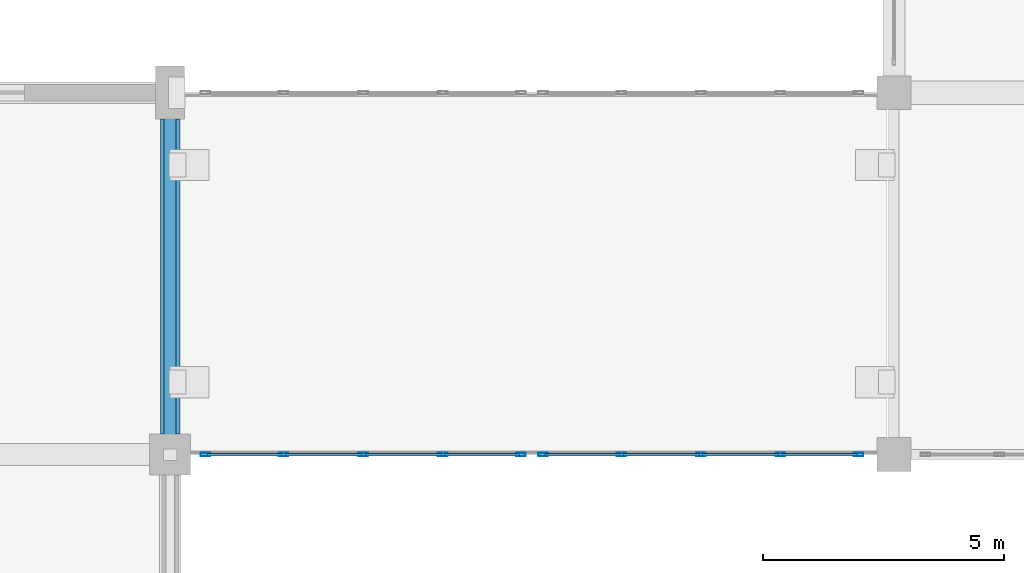
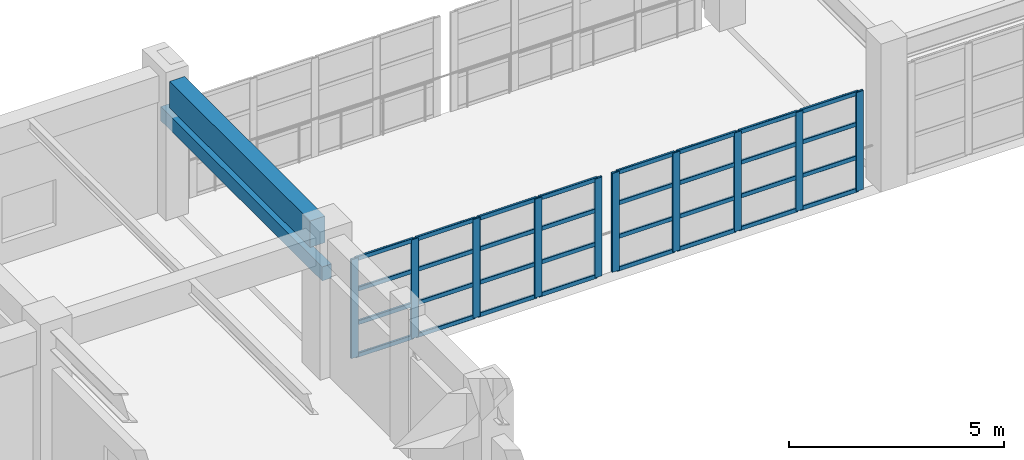
# One storey, part 56 of 132: 42 members, 2 beams, 2 elements without a shape of their own.
"""IFC4 building model written with IfcOpenShell, lengths in metres."""

import ifcopenshell
import ifcopenshell.guid

model = None  # the IFC model being written
_history = None  # IfcOwnerHistory: only IFC2X3 demands one
_inside = {}  # id of a spatial element -> (the spatial element, [elements in it])
_under = {}  # id of a project, library or spatial element -> (it, [spatial elements below it])
_declared = {}  # id of a project -> (the project, [libraries it declares])
_typed = {}  # id of a type object -> (the type object, [elements of that type])
_made_of = {}  # id of a material, layer set ... -> (it, [elements and type objects made of it])


def new_model(schema):
    """Start an empty IFC model of exactly this schema.

    Asked for "IFC4X3", IfcOpenShell would pick the latest addendum, in which some entities
    have other attributes; the version numbers below select the first issue.
    IFC2X3 requires an IfcOwnerHistory on every rooted entity: one is made here for all.
    """
    global model, _history
    if schema == "IFC4X3":
        model = ifcopenshell.file(schema_version=(4, 3, 0, 0))
    else:
        model = ifcopenshell.file(schema=schema)
    _inside.clear()
    _under.clear()
    _declared.clear()
    _typed.clear()
    _made_of.clear()
    _history = None
    if model.schema == "IFC2X3":
        org = make("IfcOrganization", Name="unknown")
        user = make(
            "IfcPersonAndOrganization",
            ThePerson=make("IfcPerson", FamilyName="unknown"),
            TheOrganization=org,
        )
        app = make(
            "IfcApplication",
            ApplicationDeveloper=org,
            Version="unknown",
            ApplicationFullName="unknown",
            ApplicationIdentifier="unknown",
        )
        _history = make(
            "IfcOwnerHistory",
            OwningUser=user,
            OwningApplication=app,
            ChangeAction="ADDED",
            CreationDate=0,
        )
    return model


def make(cls, **values):
    """One entity of the class cls with the attributes given. An attribute that is None is left unset."""
    return model.create_entity(
        cls, **{name: value for name, value in values.items() if value is not None}
    )


def rooted(cls, **values):
    """An entity with a GlobalId (a new one), such as an element, a storey or a relation."""
    return make(cls, GlobalId=ifcopenshell.guid.new(), OwnerHistory=_history, **values)


def si_unit(unit_type, name, prefix=None):
    """IfcSIUnit, for example si_unit("LENGTHUNIT", "METRE", prefix="MILLI")."""
    return make("IfcSIUnit", UnitType=unit_type, Prefix=prefix, Name=name)


def assignment(units):
    """IfcUnitAssignment: the units of a project."""
    return None if units is None else make("IfcUnitAssignment", Units=units)


def point(xyz):
    """IfcCartesianPoint."""
    return None if xyz is None else make("IfcCartesianPoint", Coordinates=xyz)


def direction(xyz):
    """IfcDirection."""
    return None if xyz is None else make("IfcDirection", DirectionRatios=xyz)


def frame(location, z_axis=None, x_axis=None):
    """IfcAxis2Placement3D, a coordinate frame: its origin and axes. An axis left out is left unset."""
    return make(
        "IfcAxis2Placement3D",
        Location=point(location),
        Axis=direction(z_axis),
        RefDirection=direction(x_axis),
    )


def frame_2d(location, x_axis=None):
    """IfcAxis2Placement2D, a coordinate frame in the plane: its origin and x axis."""
    return make(
        "IfcAxis2Placement2D", Location=point(location), RefDirection=direction(x_axis)
    )


def origin():
    """The frame at (0, 0, 0) with its axes left unset."""
    return frame((0.0, 0.0, 0.0))


def origin_2d():
    """The frame at (0, 0) in the plane with its x axis left unset."""
    return frame_2d((0.0, 0.0))


def place(relative_to, where):
    """IfcLocalPlacement: puts the frame where relative to a parent placement (None: the world)."""
    return make(
        "IfcLocalPlacement", PlacementRelTo=relative_to, RelativePlacement=where
    )


def context(
    kind, dimensions, precision=None, world=None, true_north=None, identifier=None
):
    """IfcGeometricRepresentationContext, for example the 3D "Model" context."""
    return make(
        "IfcGeometricRepresentationContext",
        ContextIdentifier=identifier,
        ContextType=kind,
        CoordinateSpaceDimension=dimensions,
        Precision=precision,
        WorldCoordinateSystem=world,
        TrueNorth=true_north,
    )


def subcontext(parent, identifier, kind, view, scale=None):
    """IfcGeometricRepresentationSubContext, for example "Body" below "Model"."""
    return make(
        "IfcGeometricRepresentationSubContext",
        ContextIdentifier=identifier,
        ContextType=kind,
        ParentContext=parent,
        TargetScale=scale,
        TargetView=view,
    )


def project(units=None, contexts=None):
    """IfcProject with its units and contexts."""
    return rooted(
        "IfcProject",
        Name="project",
        RepresentationContexts=contexts,
        UnitsInContext=assignment(units),
    )


def spatial(cls, under=None, at=None, **own):
    """A site, building, storey or space (cls), placed at a placement, below another one or the project."""
    s = rooted(cls, ObjectPlacement=at, **own)
    if under is not None:
        _under.setdefault(under.id(), (under, []))[1].append(s)
    return s


def profile(cls, at=None, kind="AREA", **sizes):
    """A parametric profile (cls). Its sizes go by their IFC names, for example OverallWidth=200.0."""
    return make(cls, ProfileType=kind, Position=at, **sizes)


def rectangle(**sizes):
    """IfcRectangleProfileDef."""
    return profile("IfcRectangleProfileDef", **sizes)


def hollow_rectangle(**sizes):
    """IfcRectangleHollowProfileDef."""
    return profile("IfcRectangleHollowProfileDef", **sizes)


def extrude(swept, where, along, depth):
    """IfcExtrudedAreaSolid: the profile swept, set in the frame where, extruded along a direction by depth."""
    return make(
        "IfcExtrudedAreaSolid",
        SweptArea=swept,
        Position=where,
        ExtrudedDirection=direction(along),
        Depth=depth,
    )


def shape(context_of_items, identifier, shape_type, items):
    """IfcShapeRepresentation: the items that make up one representation, for example the "Body"."""
    return make(
        "IfcShapeRepresentation",
        ContextOfItems=context_of_items,
        RepresentationIdentifier=identifier,
        RepresentationType=shape_type,
        Items=items,
    )


def material(Name=None, Category=None):
    """IfcMaterial."""
    return make("IfcMaterial", Name=Name, Category=Category)


def material_profile(
    of_material, cross_section, Name=None, Category=None, Priority=None
):
    """IfcMaterialProfile: a cross section and its material."""
    return make(
        "IfcMaterialProfile",
        Name=Name,
        Material=of_material,
        Profile=cross_section,
        Priority=Priority,
        Category=Category,
    )


def profile_set(profiles, Name=None, composite=None):
    """IfcMaterialProfileSet."""
    return make(
        "IfcMaterialProfileSet",
        Name=Name,
        MaterialProfiles=profiles,
        CompositeProfile=composite,
    )


def made_of(thing, what):
    """Note that an element or type object is made of a material, layer set ...; save() writes the relation."""
    if what is not None:
        _made_of.setdefault(what.id(), (what, []))[1].append(thing)
    return thing


def type_object(cls, material=None, **own):
    """A type object (cls), such as IfcWallType, which elements share."""
    return made_of(rooted(cls, **own), material)


def element(
    cls,
    number,
    at=None,
    inside=None,
    cuts=None,
    type_object=None,
    material=None,
    context=None,
    identifier="Body",
    shape_type=None,
    held_by="IfcProductDefinitionShape",
    body=None,
    shapes=None,
    **own,
):
    """One element of the class cls, such as IfcWall. Its Tag is "e" and its number.

    at: its placement. inside: the storey or other place that contains it. cuts: it is an
    opening in that element (IfcRelVoidsElement). A single representation is given by context,
    identifier, shape_type and body (its items); several are given by shapes. held_by: the class
    of the entity that holds the representations. save() writes the other relations.
    """
    e = rooted(cls, Tag="e%d" % number, ObjectPlacement=at, **own)
    if body is not None:
        shapes = [shape(context, identifier, shape_type, body)]
    if shapes is not None:
        e.Representation = make(held_by, Representations=shapes)
    if inside is not None:
        _inside.setdefault(inside.id(), (inside, []))[1].append(e)
    if cuts is not None:
        rooted(
            "IfcRelVoidsElement", RelatingBuildingElement=cuts, RelatedOpeningElement=e
        )
    if type_object is not None:
        _typed.setdefault(type_object.id(), (type_object, []))[1].append(e)
    return made_of(e, material)


def aggregate(whole, parts):
    """IfcRelAggregates: a whole, such as a stair, and the parts it consists of."""
    return rooted("IfcRelAggregates", RelatingObject=whole, RelatedObjects=parts)


def save(model, path):
    """Write the relations noted so far, then the file.

    IfcRelAggregates (storeys below a building ...), IfcRelContainedInSpatialStructure (elements
    in a storey), IfcRelDefinesByType, IfcRelAssociatesMaterial and IfcRelDeclares: one each for
    every whole, place, type object, material and project.
    """
    for whole, parts in _under.values():
        aggregate(whole, parts)
    for where, things in _inside.values():
        rooted(
            "IfcRelContainedInSpatialStructure",
            RelatedElements=things,
            RelatingStructure=where,
        )
    for kind, things in _typed.values():
        rooted("IfcRelDefinesByType", RelatedObjects=things, RelatingType=kind)
    for what, things in _made_of.values():
        rooted("IfcRelAssociatesMaterial", RelatedObjects=things, RelatingMaterial=what)
    for by, libraries in _declared.values():
        rooted("IfcRelDeclares", RelatingContext=by, RelatedDefinitions=libraries)
    model.write(path)


model = new_model("IFC4")

# Units and contexts
model_context = context("Model", 3, precision=1e-05, world=origin(), true_north=direction((0.0, 1.0)))
body_context = subcontext(model_context, "Body", "Model", "MODEL_VIEW")
ifc_project = project(units=[si_unit("LENGTHUNIT", "METRE"), si_unit("AREAUNIT", "SQUARE_METRE"), si_unit("VOLUMEUNIT", "CUBIC_METRE"), si_unit("PLANEANGLEUNIT", "RADIAN"), si_unit("MASSUNIT", "GRAM", prefix="KILO")], contexts=[model_context])

# Site, building, storey
site_placement = place(None, origin())
site = spatial("IfcSite", under=ifc_project, at=site_placement, CompositionType="ELEMENT")
building_placement = place(site_placement, origin())
building = spatial("IfcBuilding", under=site, at=building_placement, Name="Qasida Concert Hall", CompositionType="ELEMENT")
storey_placement = place(building_placement, frame((0.0, 0.0, 4.800048828125)))
storey = spatial("IfcBuildingStorey", under=building, at=storey_placement, Name="L01", CompositionType="ELEMENT", Elevation=4.800048828125)

# Beams
ifc_material_1 = material(Name="Concrete C40/50", Category="concrete")
ifc_material_profile_1 = material_profile(ifc_material_1, rectangle(XDim=0.25, YDim=0.39990234375, at=origin_2d()), Name="RC 250x400")
ifc_profile_set_1 = profile_set([ifc_material_profile_1], Name="Concrete C40/50")
beam_type_1 = type_object("IfcBeamType", Name="BM-LN1", PredefinedType="LINTEL", material=ifc_profile_set_1)
beam_1_placement = place(storey_placement, frame((105.0, 75.0, 2.64990234375), z_axis=(0.0, 1.0, 0.0), x_axis=(-1.0, 0.0, 0.0)))
element("IfcBeam", 1, at=beam_1_placement, inside=storey, type_object=beam_type_1, Name="L01 portal lintel beam 008", PredefinedType="LINTEL", context=body_context, shape_type="SweptSolid", body=[
    extrude(rectangle(XDim=0.25, YDim=0.39990234375, at=origin_2d()), origin(), (0.0, 0.0, 1.0), 7.5),
])
ifc_material_profile_2 = material_profile(ifc_material_1, rectangle(XDim=0.39990234375, YDim=0.75, at=origin_2d()), Name="RC 400x750")
ifc_profile_set_2 = profile_set([ifc_material_profile_2], Name="Concrete C40/50")
beam_type_2 = type_object("IfcBeamType", Name="BM-SP1", PredefinedType="SPANDREL", material=ifc_profile_set_2)
beam_2_placement = place(storey_placement, frame((105.0, 75.425048828125, 3.544921875), z_axis=(0.0, 1.0, 0.0), x_axis=(-1.0, 0.0, 0.0)))
element("IfcBeam", 2, at=beam_2_placement, inside=storey, type_object=beam_type_2, Name="L01 girder 0829", PredefinedType="SPANDREL", context=body_context, shape_type="SweptSolid", body=[
    extrude(rectangle(XDim=0.39990234375, YDim=0.75, at=origin_2d()), origin(), (0.0, 0.0, 1.0), 6.52490234375),
])

# Curtain wall, members
ifc_material_2 = material(Name="Architectural bronze-anodized aluminium and low-E glass", Category="aluminium")
curtain_wall_type = type_object("IfcCurtainWallType", Name="CW-08", PredefinedType="NOTDEFINED", material=ifc_material_2)
curtain_wall_1_placement = place(storey_placement, origin())
curtain_wall_1 = element("IfcCurtainWall", 3, at=curtain_wall_1_placement, inside=storey, type_object=curtain_wall_type, Name="L01 link bridge glazing 0226", PredefinedType="NOTDEFINED")
ifc_material_3 = material(Name="Architectural bronze-anodized aluminium EN AW-6063", Category="aluminium")
ifc_material_profile_3 = material_profile(ifc_material_3, hollow_rectangle(XDim=0.06494140625, YDim=0.199951171875, WallThickness=0.0048828125, InnerFilletRadius=0.0048828125, OuterFilletRadius=0.010009765625, at=origin_2d()), Name="CWM 200x65x5")
ifc_profile_set_3 = profile_set([ifc_material_profile_3], Name="Architectural bronze-anodized aluminium EN AW-6063")
member_type_1 = type_object("IfcMemberType", Name="MB-CWM-2", PredefinedType="MULLION", material=ifc_profile_set_3)
member_1_placement = place(storey_placement, frame((105.732421875, 75.0, 0.0), z_axis=(0.0, 0.0, 1.0), x_axis=(0.0, 1.0, 0.0)))
member_1 = element("IfcMember", 4, at=member_1_placement, type_object=member_type_1, Name="CW-08 mullion 1", PredefinedType="MULLION", context=body_context, shape_type="SweptSolid", body=[
    extrude(hollow_rectangle(XDim=0.06494140625, YDim=0.199951171875, WallThickness=0.0048828125, InnerFilletRadius=0.0048828125, OuterFilletRadius=0.010009765625, at=origin_2d()), origin(), (0.0, 0.0, 1.0), 2.800048828125),
])
member_2_placement = place(storey_placement, frame((107.35009765625, 75.0, 0.0), z_axis=(0.0, 0.0, 1.0), x_axis=(0.0, 1.0, 0.0)))
member_2 = element("IfcMember", 5, at=member_2_placement, type_object=member_type_1, Name="CW-08 mullion 2", PredefinedType="MULLION", context=body_context, shape_type="SweptSolid", body=[
    extrude(hollow_rectangle(XDim=0.06494140625, YDim=0.199951171875, WallThickness=0.0048828125, InnerFilletRadius=0.0048828125, OuterFilletRadius=0.010009765625, at=origin_2d()), origin(), (0.0, 0.0, 1.0), 2.800048828125),
])
member_3_placement = place(storey_placement, frame((109.0, 75.0, 0.0), z_axis=(0.0, 0.0, 1.0), x_axis=(0.0, 1.0, 0.0)))
member_3 = element("IfcMember", 6, at=member_3_placement, type_object=member_type_1, Name="CW-08 mullion 3", PredefinedType="MULLION", context=body_context, shape_type="SweptSolid", body=[
    extrude(hollow_rectangle(XDim=0.06494140625, YDim=0.199951171875, WallThickness=0.0048828125, InnerFilletRadius=0.0048828125, OuterFilletRadius=0.010009765625, at=origin_2d()), origin(), (0.0, 0.0, 1.0), 2.800048828125),
])
member_4_placement = place(storey_placement, frame((110.64990234375, 75.0, 0.0), z_axis=(0.0, 0.0, 1.0), x_axis=(0.0, 1.0, 0.0)))
member_4 = element("IfcMember", 7, at=member_4_placement, type_object=member_type_1, Name="CW-08 mullion 4", PredefinedType="MULLION", context=body_context, shape_type="SweptSolid", body=[
    extrude(hollow_rectangle(XDim=0.06494140625, YDim=0.199951171875, WallThickness=0.0048828125, InnerFilletRadius=0.0048828125, OuterFilletRadius=0.010009765625, at=origin_2d()), origin(), (0.0, 0.0, 1.0), 2.800048828125),
])
member_5_placement = place(storey_placement, frame((112.267578125, 75.0, 0.0), z_axis=(0.0, 0.0, 1.0), x_axis=(0.0, 1.0, 0.0)))
member_5 = element("IfcMember", 8, at=member_5_placement, type_object=member_type_1, Name="CW-08 mullion 5", PredefinedType="MULLION", context=body_context, shape_type="SweptSolid", body=[
    extrude(hollow_rectangle(XDim=0.06494140625, YDim=0.199951171875, WallThickness=0.0048828125, InnerFilletRadius=0.0048828125, OuterFilletRadius=0.010009765625, at=origin_2d()), origin(), (0.0, 0.0, 1.0), 2.800048828125),
])

curtain_wall_2_placement = place(storey_placement, origin())
curtain_wall_2 = element("IfcCurtainWall", 9, at=curtain_wall_2_placement, inside=storey, type_object=curtain_wall_type, Name="L01 link bridge glazing 0228", PredefinedType="NOTDEFINED")
member_6_placement = place(storey_placement, frame((112.732421875, 75.0, 0.0), z_axis=(0.0, 0.0, 1.0), x_axis=(0.0, 1.0, 0.0)))
member_6 = element("IfcMember", 10, at=member_6_placement, type_object=member_type_1, Name="CW-08 mullion 1", PredefinedType="MULLION", context=body_context, shape_type="SweptSolid", body=[
    extrude(hollow_rectangle(XDim=0.06494140625, YDim=0.199951171875, WallThickness=0.0048828125, InnerFilletRadius=0.0048828125, OuterFilletRadius=0.010009765625, at=origin_2d()), origin(), (0.0, 0.0, 1.0), 2.800048828125),
])
member_7_placement = place(storey_placement, frame((114.35009765625, 75.0, 0.0), z_axis=(0.0, 0.0, 1.0), x_axis=(0.0, 1.0, 0.0)))
member_7 = element("IfcMember", 11, at=member_7_placement, type_object=member_type_1, Name="CW-08 mullion 2", PredefinedType="MULLION", context=body_context, shape_type="SweptSolid", body=[
    extrude(hollow_rectangle(XDim=0.06494140625, YDim=0.199951171875, WallThickness=0.0048828125, InnerFilletRadius=0.0048828125, OuterFilletRadius=0.010009765625, at=origin_2d()), origin(), (0.0, 0.0, 1.0), 2.800048828125),
])
member_8_placement = place(storey_placement, frame((116.0, 75.0, 0.0), z_axis=(0.0, 0.0, 1.0), x_axis=(0.0, 1.0, 0.0)))
member_8 = element("IfcMember", 12, at=member_8_placement, type_object=member_type_1, Name="CW-08 mullion 3", PredefinedType="MULLION", context=body_context, shape_type="SweptSolid", body=[
    extrude(hollow_rectangle(XDim=0.06494140625, YDim=0.199951171875, WallThickness=0.0048828125, InnerFilletRadius=0.0048828125, OuterFilletRadius=0.010009765625, at=origin_2d()), origin(), (0.0, 0.0, 1.0), 2.800048828125),
])
member_9_placement = place(storey_placement, frame((117.64990234375, 75.0, 0.0), z_axis=(0.0, 0.0, 1.0), x_axis=(0.0, 1.0, 0.0)))
member_9 = element("IfcMember", 13, at=member_9_placement, type_object=member_type_1, Name="CW-08 mullion 4", PredefinedType="MULLION", context=body_context, shape_type="SweptSolid", body=[
    extrude(hollow_rectangle(XDim=0.06494140625, YDim=0.199951171875, WallThickness=0.0048828125, InnerFilletRadius=0.0048828125, OuterFilletRadius=0.010009765625, at=origin_2d()), origin(), (0.0, 0.0, 1.0), 2.800048828125),
])
member_10_placement = place(storey_placement, frame((119.267578125, 75.0, 0.0), z_axis=(0.0, 0.0, 1.0), x_axis=(0.0, 1.0, 0.0)))
member_10 = element("IfcMember", 14, at=member_10_placement, type_object=member_type_1, Name="CW-08 mullion 5", PredefinedType="MULLION", context=body_context, shape_type="SweptSolid", body=[
    extrude(hollow_rectangle(XDim=0.06494140625, YDim=0.199951171875, WallThickness=0.0048828125, InnerFilletRadius=0.0048828125, OuterFilletRadius=0.010009765625, at=origin_2d()), origin(), (0.0, 0.0, 1.0), 2.800048828125),
])

# Member
ifc_material_profile_4 = material_profile(ifc_material_3, hollow_rectangle(XDim=0.06005859375, YDim=0.1201171875, WallThickness=0.00390625, InnerFilletRadius=0.00390625, OuterFilletRadius=0.008056640625, at=origin_2d()), Name="CWT 120x60x4")
ifc_profile_set_4 = profile_set([ifc_material_profile_4], Name="Architectural bronze-anodized aluminium EN AW-6063")
member_type_2 = type_object("IfcMemberType", Name="MB-CWT-2", PredefinedType="USERDEFINED", material=ifc_profile_set_4)
member_11_placement = place(storey_placement, frame((105.764892578125, 75.0, 0.030029296875), z_axis=(1.0, 0.0, 0.0), x_axis=(0.0, 1.0, 0.0)))
member_11 = element("IfcMember", 15, at=member_11_placement, type_object=member_type_2, Name="CW-08 transom 1.1", ObjectType="TRANSOM", PredefinedType="USERDEFINED", context=body_context, shape_type="SweptSolid", body=[
    extrude(hollow_rectangle(XDim=0.06005859375, YDim=0.1201171875, WallThickness=0.00390625, InnerFilletRadius=0.00390625, OuterFilletRadius=0.008056640625, at=origin_2d()), origin(), (0.0, 0.0, 1.0), 1.552490234375),
])

member_12_placement = place(storey_placement, frame((105.764892578125, 75.0, 0.949951171875), z_axis=(1.0, 0.0, 0.0), x_axis=(0.0, 1.0, 0.0)))
member_12 = element("IfcMember", 16, at=member_12_placement, type_object=member_type_2, Name="CW-08 transom 1.2", ObjectType="TRANSOM", PredefinedType="USERDEFINED", context=body_context, shape_type="SweptSolid", body=[
    extrude(hollow_rectangle(XDim=0.06005859375, YDim=0.1201171875, WallThickness=0.00390625, InnerFilletRadius=0.00390625, OuterFilletRadius=0.008056640625, at=origin_2d()), origin(), (0.0, 0.0, 1.0), 1.552490234375),
])

member_13_placement = place(storey_placement, frame((105.764892578125, 75.0, 1.89990234375), z_axis=(1.0, 0.0, 0.0), x_axis=(0.0, 1.0, 0.0)))
member_13 = element("IfcMember", 17, at=member_13_placement, type_object=member_type_2, Name="CW-08 transom 1.3", ObjectType="TRANSOM", PredefinedType="USERDEFINED", context=body_context, shape_type="SweptSolid", body=[
    extrude(hollow_rectangle(XDim=0.06005859375, YDim=0.1201171875, WallThickness=0.00390625, InnerFilletRadius=0.00390625, OuterFilletRadius=0.008056640625, at=origin_2d()), origin(), (0.0, 0.0, 1.0), 1.552490234375),
])

member_14_placement = place(storey_placement, frame((105.764892578125, 75.0, 2.77001953125), z_axis=(1.0, 0.0, 0.0), x_axis=(0.0, 1.0, 0.0)))
member_14 = element("IfcMember", 18, at=member_14_placement, type_object=member_type_2, Name="CW-08 transom 1.4", ObjectType="TRANSOM", PredefinedType="USERDEFINED", context=body_context, shape_type="SweptSolid", body=[
    extrude(hollow_rectangle(XDim=0.06005859375, YDim=0.1201171875, WallThickness=0.00390625, InnerFilletRadius=0.00390625, OuterFilletRadius=0.008056640625, at=origin_2d()), origin(), (0.0, 0.0, 1.0), 1.552490234375),
])

member_15_placement = place(storey_placement, frame((107.382568359375, 75.0, 0.030029296875), z_axis=(1.0, 0.0, 0.0), x_axis=(0.0, 1.0, 0.0)))
member_15 = element("IfcMember", 19, at=member_15_placement, type_object=member_type_2, Name="CW-08 transom 2.1", ObjectType="TRANSOM", PredefinedType="USERDEFINED", context=body_context, shape_type="SweptSolid", body=[
    extrude(hollow_rectangle(XDim=0.06005859375, YDim=0.1201171875, WallThickness=0.00390625, InnerFilletRadius=0.00390625, OuterFilletRadius=0.008056640625, at=origin_2d()), origin(), (0.0, 0.0, 1.0), 1.5849609375),
])

member_16_placement = place(storey_placement, frame((107.382568359375, 75.0, 0.949951171875), z_axis=(1.0, 0.0, 0.0), x_axis=(0.0, 1.0, 0.0)))
member_16 = element("IfcMember", 20, at=member_16_placement, type_object=member_type_2, Name="CW-08 transom 2.2", ObjectType="TRANSOM", PredefinedType="USERDEFINED", context=body_context, shape_type="SweptSolid", body=[
    extrude(hollow_rectangle(XDim=0.06005859375, YDim=0.1201171875, WallThickness=0.00390625, InnerFilletRadius=0.00390625, OuterFilletRadius=0.008056640625, at=origin_2d()), origin(), (0.0, 0.0, 1.0), 1.5849609375),
])

member_17_placement = place(storey_placement, frame((107.382568359375, 75.0, 1.89990234375), z_axis=(1.0, 0.0, 0.0), x_axis=(0.0, 1.0, 0.0)))
member_17 = element("IfcMember", 21, at=member_17_placement, type_object=member_type_2, Name="CW-08 transom 2.3", ObjectType="TRANSOM", PredefinedType="USERDEFINED", context=body_context, shape_type="SweptSolid", body=[
    extrude(hollow_rectangle(XDim=0.06005859375, YDim=0.1201171875, WallThickness=0.00390625, InnerFilletRadius=0.00390625, OuterFilletRadius=0.008056640625, at=origin_2d()), origin(), (0.0, 0.0, 1.0), 1.5849609375),
])

member_18_placement = place(storey_placement, frame((107.382568359375, 75.0, 2.77001953125), z_axis=(1.0, 0.0, 0.0), x_axis=(0.0, 1.0, 0.0)))
member_18 = element("IfcMember", 22, at=member_18_placement, type_object=member_type_2, Name="CW-08 transom 2.4", ObjectType="TRANSOM", PredefinedType="USERDEFINED", context=body_context, shape_type="SweptSolid", body=[
    extrude(hollow_rectangle(XDim=0.06005859375, YDim=0.1201171875, WallThickness=0.00390625, InnerFilletRadius=0.00390625, OuterFilletRadius=0.008056640625, at=origin_2d()), origin(), (0.0, 0.0, 1.0), 1.5849609375),
])

member_19_placement = place(storey_placement, frame((109.032470703125, 75.0, 0.030029296875), z_axis=(1.0, 0.0, 0.0), x_axis=(0.0, 1.0, 0.0)))
member_19 = element("IfcMember", 23, at=member_19_placement, type_object=member_type_2, Name="CW-08 transom 3.1", ObjectType="TRANSOM", PredefinedType="USERDEFINED", context=body_context, shape_type="SweptSolid", body=[
    extrude(hollow_rectangle(XDim=0.06005859375, YDim=0.1201171875, WallThickness=0.00390625, InnerFilletRadius=0.00390625, OuterFilletRadius=0.008056640625, at=origin_2d()), origin(), (0.0, 0.0, 1.0), 1.5849609375),
])

member_20_placement = place(storey_placement, frame((109.032470703125, 75.0, 0.949951171875), z_axis=(1.0, 0.0, 0.0), x_axis=(0.0, 1.0, 0.0)))
member_20 = element("IfcMember", 24, at=member_20_placement, type_object=member_type_2, Name="CW-08 transom 3.2", ObjectType="TRANSOM", PredefinedType="USERDEFINED", context=body_context, shape_type="SweptSolid", body=[
    extrude(hollow_rectangle(XDim=0.06005859375, YDim=0.1201171875, WallThickness=0.00390625, InnerFilletRadius=0.00390625, OuterFilletRadius=0.008056640625, at=origin_2d()), origin(), (0.0, 0.0, 1.0), 1.5849609375),
])

member_21_placement = place(storey_placement, frame((109.032470703125, 75.0, 1.89990234375), z_axis=(1.0, 0.0, 0.0), x_axis=(0.0, 1.0, 0.0)))
member_21 = element("IfcMember", 25, at=member_21_placement, type_object=member_type_2, Name="CW-08 transom 3.3", ObjectType="TRANSOM", PredefinedType="USERDEFINED", context=body_context, shape_type="SweptSolid", body=[
    extrude(hollow_rectangle(XDim=0.06005859375, YDim=0.1201171875, WallThickness=0.00390625, InnerFilletRadius=0.00390625, OuterFilletRadius=0.008056640625, at=origin_2d()), origin(), (0.0, 0.0, 1.0), 1.5849609375),
])

member_22_placement = place(storey_placement, frame((109.032470703125, 75.0, 2.77001953125), z_axis=(1.0, 0.0, 0.0), x_axis=(0.0, 1.0, 0.0)))
member_22 = element("IfcMember", 26, at=member_22_placement, type_object=member_type_2, Name="CW-08 transom 3.4", ObjectType="TRANSOM", PredefinedType="USERDEFINED", context=body_context, shape_type="SweptSolid", body=[
    extrude(hollow_rectangle(XDim=0.06005859375, YDim=0.1201171875, WallThickness=0.00390625, InnerFilletRadius=0.00390625, OuterFilletRadius=0.008056640625, at=origin_2d()), origin(), (0.0, 0.0, 1.0), 1.5849609375),
])

member_23_placement = place(storey_placement, frame((110.6826171875, 75.0, 0.030029296875), z_axis=(1.0, 0.0, 0.0), x_axis=(0.0, 1.0, 0.0)))
member_23 = element("IfcMember", 27, at=member_23_placement, type_object=member_type_2, Name="CW-08 transom 4.1", ObjectType="TRANSOM", PredefinedType="USERDEFINED", context=body_context, shape_type="SweptSolid", body=[
    extrude(hollow_rectangle(XDim=0.06005859375, YDim=0.1201171875, WallThickness=0.00390625, InnerFilletRadius=0.00390625, OuterFilletRadius=0.008056640625, at=origin_2d()), origin(), (0.0, 0.0, 1.0), 1.552490234375),
])

member_24_placement = place(storey_placement, frame((110.6826171875, 75.0, 0.949951171875), z_axis=(1.0, 0.0, 0.0), x_axis=(0.0, 1.0, 0.0)))
member_24 = element("IfcMember", 28, at=member_24_placement, type_object=member_type_2, Name="CW-08 transom 4.2", ObjectType="TRANSOM", PredefinedType="USERDEFINED", context=body_context, shape_type="SweptSolid", body=[
    extrude(hollow_rectangle(XDim=0.06005859375, YDim=0.1201171875, WallThickness=0.00390625, InnerFilletRadius=0.00390625, OuterFilletRadius=0.008056640625, at=origin_2d()), origin(), (0.0, 0.0, 1.0), 1.552490234375),
])

member_25_placement = place(storey_placement, frame((110.6826171875, 75.0, 1.89990234375), z_axis=(1.0, 0.0, 0.0), x_axis=(0.0, 1.0, 0.0)))
member_25 = element("IfcMember", 29, at=member_25_placement, type_object=member_type_2, Name="CW-08 transom 4.3", ObjectType="TRANSOM", PredefinedType="USERDEFINED", context=body_context, shape_type="SweptSolid", body=[
    extrude(hollow_rectangle(XDim=0.06005859375, YDim=0.1201171875, WallThickness=0.00390625, InnerFilletRadius=0.00390625, OuterFilletRadius=0.008056640625, at=origin_2d()), origin(), (0.0, 0.0, 1.0), 1.552490234375),
])

member_26_placement = place(storey_placement, frame((110.6826171875, 75.0, 2.77001953125), z_axis=(1.0, 0.0, 0.0), x_axis=(0.0, 1.0, 0.0)))
member_26 = element("IfcMember", 30, at=member_26_placement, type_object=member_type_2, Name="CW-08 transom 4.4", ObjectType="TRANSOM", PredefinedType="USERDEFINED", context=body_context, shape_type="SweptSolid", body=[
    extrude(hollow_rectangle(XDim=0.06005859375, YDim=0.1201171875, WallThickness=0.00390625, InnerFilletRadius=0.00390625, OuterFilletRadius=0.008056640625, at=origin_2d()), origin(), (0.0, 0.0, 1.0), 1.552490234375),
])

aggregate(curtain_wall_1, [member_1, member_2, member_3, member_4, member_5, member_11, member_12, member_13, member_14, member_15, member_16, member_17, member_18, member_19, member_20, member_21, member_22, member_23, member_24, member_25, member_26])

member_27_placement = place(storey_placement, frame((112.764892578125, 75.0, 0.030029296875), z_axis=(1.0, 0.0, 0.0), x_axis=(0.0, 1.0, 0.0)))
member_27 = element("IfcMember", 31, at=member_27_placement, type_object=member_type_2, Name="CW-08 transom 1.1", ObjectType="TRANSOM", PredefinedType="USERDEFINED", context=body_context, shape_type="SweptSolid", body=[
    extrude(hollow_rectangle(XDim=0.06005859375, YDim=0.1201171875, WallThickness=0.00390625, InnerFilletRadius=0.00390625, OuterFilletRadius=0.008056640625, at=origin_2d()), origin(), (0.0, 0.0, 1.0), 1.552490234375),
])

member_28_placement = place(storey_placement, frame((112.764892578125, 75.0, 0.949951171875), z_axis=(1.0, 0.0, 0.0), x_axis=(0.0, 1.0, 0.0)))
member_28 = element("IfcMember", 32, at=member_28_placement, type_object=member_type_2, Name="CW-08 transom 1.2", ObjectType="TRANSOM", PredefinedType="USERDEFINED", context=body_context, shape_type="SweptSolid", body=[
    extrude(hollow_rectangle(XDim=0.06005859375, YDim=0.1201171875, WallThickness=0.00390625, InnerFilletRadius=0.00390625, OuterFilletRadius=0.008056640625, at=origin_2d()), origin(), (0.0, 0.0, 1.0), 1.552490234375),
])

member_29_placement = place(storey_placement, frame((112.764892578125, 75.0, 1.89990234375), z_axis=(1.0, 0.0, 0.0), x_axis=(0.0, 1.0, 0.0)))
member_29 = element("IfcMember", 33, at=member_29_placement, type_object=member_type_2, Name="CW-08 transom 1.3", ObjectType="TRANSOM", PredefinedType="USERDEFINED", context=body_context, shape_type="SweptSolid", body=[
    extrude(hollow_rectangle(XDim=0.06005859375, YDim=0.1201171875, WallThickness=0.00390625, InnerFilletRadius=0.00390625, OuterFilletRadius=0.008056640625, at=origin_2d()), origin(), (0.0, 0.0, 1.0), 1.552490234375),
])

member_30_placement = place(storey_placement, frame((112.764892578125, 75.0, 2.77001953125), z_axis=(1.0, 0.0, 0.0), x_axis=(0.0, 1.0, 0.0)))
member_30 = element("IfcMember", 34, at=member_30_placement, type_object=member_type_2, Name="CW-08 transom 1.4", ObjectType="TRANSOM", PredefinedType="USERDEFINED", context=body_context, shape_type="SweptSolid", body=[
    extrude(hollow_rectangle(XDim=0.06005859375, YDim=0.1201171875, WallThickness=0.00390625, InnerFilletRadius=0.00390625, OuterFilletRadius=0.008056640625, at=origin_2d()), origin(), (0.0, 0.0, 1.0), 1.552490234375),
])

member_31_placement = place(storey_placement, frame((114.382568359375, 75.0, 0.030029296875), z_axis=(1.0, 0.0, 0.0), x_axis=(0.0, 1.0, 0.0)))
member_31 = element("IfcMember", 35, at=member_31_placement, type_object=member_type_2, Name="CW-08 transom 2.1", ObjectType="TRANSOM", PredefinedType="USERDEFINED", context=body_context, shape_type="SweptSolid", body=[
    extrude(hollow_rectangle(XDim=0.06005859375, YDim=0.1201171875, WallThickness=0.00390625, InnerFilletRadius=0.00390625, OuterFilletRadius=0.008056640625, at=origin_2d()), origin(), (0.0, 0.0, 1.0), 1.5849609375),
])

member_32_placement = place(storey_placement, frame((114.382568359375, 75.0, 0.949951171875), z_axis=(1.0, 0.0, 0.0), x_axis=(0.0, 1.0, 0.0)))
member_32 = element("IfcMember", 36, at=member_32_placement, type_object=member_type_2, Name="CW-08 transom 2.2", ObjectType="TRANSOM", PredefinedType="USERDEFINED", context=body_context, shape_type="SweptSolid", body=[
    extrude(hollow_rectangle(XDim=0.06005859375, YDim=0.1201171875, WallThickness=0.00390625, InnerFilletRadius=0.00390625, OuterFilletRadius=0.008056640625, at=origin_2d()), origin(), (0.0, 0.0, 1.0), 1.5849609375),
])

member_33_placement = place(storey_placement, frame((114.382568359375, 75.0, 1.89990234375), z_axis=(1.0, 0.0, 0.0), x_axis=(0.0, 1.0, 0.0)))
member_33 = element("IfcMember", 37, at=member_33_placement, type_object=member_type_2, Name="CW-08 transom 2.3", ObjectType="TRANSOM", PredefinedType="USERDEFINED", context=body_context, shape_type="SweptSolid", body=[
    extrude(hollow_rectangle(XDim=0.06005859375, YDim=0.1201171875, WallThickness=0.00390625, InnerFilletRadius=0.00390625, OuterFilletRadius=0.008056640625, at=origin_2d()), origin(), (0.0, 0.0, 1.0), 1.5849609375),
])

member_34_placement = place(storey_placement, frame((114.382568359375, 75.0, 2.77001953125), z_axis=(1.0, 0.0, 0.0), x_axis=(0.0, 1.0, 0.0)))
member_34 = element("IfcMember", 38, at=member_34_placement, type_object=member_type_2, Name="CW-08 transom 2.4", ObjectType="TRANSOM", PredefinedType="USERDEFINED", context=body_context, shape_type="SweptSolid", body=[
    extrude(hollow_rectangle(XDim=0.06005859375, YDim=0.1201171875, WallThickness=0.00390625, InnerFilletRadius=0.00390625, OuterFilletRadius=0.008056640625, at=origin_2d()), origin(), (0.0, 0.0, 1.0), 1.5849609375),
])

member_35_placement = place(storey_placement, frame((116.032470703125, 75.0, 0.030029296875), z_axis=(1.0, 0.0, 0.0), x_axis=(0.0, 1.0, 0.0)))
member_35 = element("IfcMember", 39, at=member_35_placement, type_object=member_type_2, Name="CW-08 transom 3.1", ObjectType="TRANSOM", PredefinedType="USERDEFINED", context=body_context, shape_type="SweptSolid", body=[
    extrude(hollow_rectangle(XDim=0.06005859375, YDim=0.1201171875, WallThickness=0.00390625, InnerFilletRadius=0.00390625, OuterFilletRadius=0.008056640625, at=origin_2d()), origin(), (0.0, 0.0, 1.0), 1.5849609375),
])

member_36_placement = place(storey_placement, frame((116.032470703125, 75.0, 0.949951171875), z_axis=(1.0, 0.0, 0.0), x_axis=(0.0, 1.0, 0.0)))
member_36 = element("IfcMember", 40, at=member_36_placement, type_object=member_type_2, Name="CW-08 transom 3.2", ObjectType="TRANSOM", PredefinedType="USERDEFINED", context=body_context, shape_type="SweptSolid", body=[
    extrude(hollow_rectangle(XDim=0.06005859375, YDim=0.1201171875, WallThickness=0.00390625, InnerFilletRadius=0.00390625, OuterFilletRadius=0.008056640625, at=origin_2d()), origin(), (0.0, 0.0, 1.0), 1.5849609375),
])

member_37_placement = place(storey_placement, frame((116.032470703125, 75.0, 1.89990234375), z_axis=(1.0, 0.0, 0.0), x_axis=(0.0, 1.0, 0.0)))
member_37 = element("IfcMember", 41, at=member_37_placement, type_object=member_type_2, Name="CW-08 transom 3.3", ObjectType="TRANSOM", PredefinedType="USERDEFINED", context=body_context, shape_type="SweptSolid", body=[
    extrude(hollow_rectangle(XDim=0.06005859375, YDim=0.1201171875, WallThickness=0.00390625, InnerFilletRadius=0.00390625, OuterFilletRadius=0.008056640625, at=origin_2d()), origin(), (0.0, 0.0, 1.0), 1.5849609375),
])

member_38_placement = place(storey_placement, frame((116.032470703125, 75.0, 2.77001953125), z_axis=(1.0, 0.0, 0.0), x_axis=(0.0, 1.0, 0.0)))
member_38 = element("IfcMember", 42, at=member_38_placement, type_object=member_type_2, Name="CW-08 transom 3.4", ObjectType="TRANSOM", PredefinedType="USERDEFINED", context=body_context, shape_type="SweptSolid", body=[
    extrude(hollow_rectangle(XDim=0.06005859375, YDim=0.1201171875, WallThickness=0.00390625, InnerFilletRadius=0.00390625, OuterFilletRadius=0.008056640625, at=origin_2d()), origin(), (0.0, 0.0, 1.0), 1.5849609375),
])

member_39_placement = place(storey_placement, frame((117.6826171875, 75.0, 0.030029296875), z_axis=(1.0, 0.0, 0.0), x_axis=(0.0, 1.0, 0.0)))
member_39 = element("IfcMember", 43, at=member_39_placement, type_object=member_type_2, Name="CW-08 transom 4.1", ObjectType="TRANSOM", PredefinedType="USERDEFINED", context=body_context, shape_type="SweptSolid", body=[
    extrude(hollow_rectangle(XDim=0.06005859375, YDim=0.1201171875, WallThickness=0.00390625, InnerFilletRadius=0.00390625, OuterFilletRadius=0.008056640625, at=origin_2d()), origin(), (0.0, 0.0, 1.0), 1.552490234375),
])

member_40_placement = place(storey_placement, frame((117.6826171875, 75.0, 0.949951171875), z_axis=(1.0, 0.0, 0.0), x_axis=(0.0, 1.0, 0.0)))
member_40 = element("IfcMember", 44, at=member_40_placement, type_object=member_type_2, Name="CW-08 transom 4.2", ObjectType="TRANSOM", PredefinedType="USERDEFINED", context=body_context, shape_type="SweptSolid", body=[
    extrude(hollow_rectangle(XDim=0.06005859375, YDim=0.1201171875, WallThickness=0.00390625, InnerFilletRadius=0.00390625, OuterFilletRadius=0.008056640625, at=origin_2d()), origin(), (0.0, 0.0, 1.0), 1.552490234375),
])

member_41_placement = place(storey_placement, frame((117.6826171875, 75.0, 1.89990234375), z_axis=(1.0, 0.0, 0.0), x_axis=(0.0, 1.0, 0.0)))
member_41 = element("IfcMember", 45, at=member_41_placement, type_object=member_type_2, Name="CW-08 transom 4.3", ObjectType="TRANSOM", PredefinedType="USERDEFINED", context=body_context, shape_type="SweptSolid", body=[
    extrude(hollow_rectangle(XDim=0.06005859375, YDim=0.1201171875, WallThickness=0.00390625, InnerFilletRadius=0.00390625, OuterFilletRadius=0.008056640625, at=origin_2d()), origin(), (0.0, 0.0, 1.0), 1.552490234375),
])

member_42_placement = place(storey_placement, frame((117.6826171875, 75.0, 2.77001953125), z_axis=(1.0, 0.0, 0.0), x_axis=(0.0, 1.0, 0.0)))
member_42 = element("IfcMember", 46, at=member_42_placement, type_object=member_type_2, Name="CW-08 transom 4.4", ObjectType="TRANSOM", PredefinedType="USERDEFINED", context=body_context, shape_type="SweptSolid", body=[
    extrude(hollow_rectangle(XDim=0.06005859375, YDim=0.1201171875, WallThickness=0.00390625, InnerFilletRadius=0.00390625, OuterFilletRadius=0.008056640625, at=origin_2d()), origin(), (0.0, 0.0, 1.0), 1.552490234375),
])

aggregate(curtain_wall_2, [member_6, member_7, member_8, member_9, member_10, member_27, member_28, member_29, member_30, member_31, member_32, member_33, member_34, member_35, member_36, member_37, member_38, member_39, member_40, member_41, member_42])

save(model, "model.ifc")
